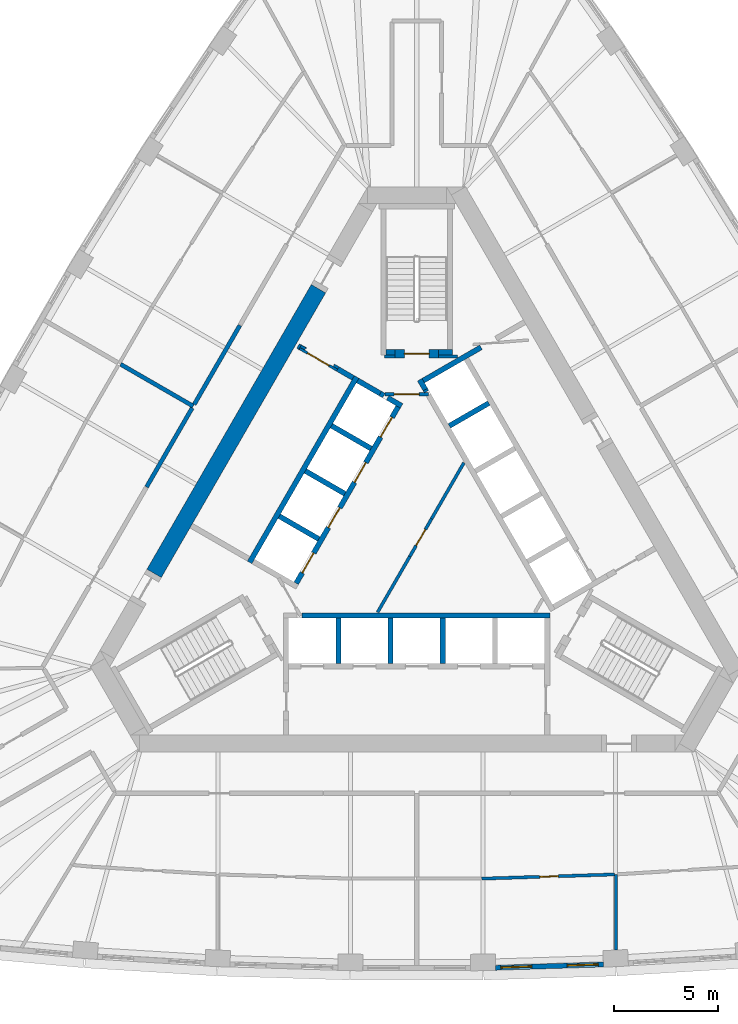
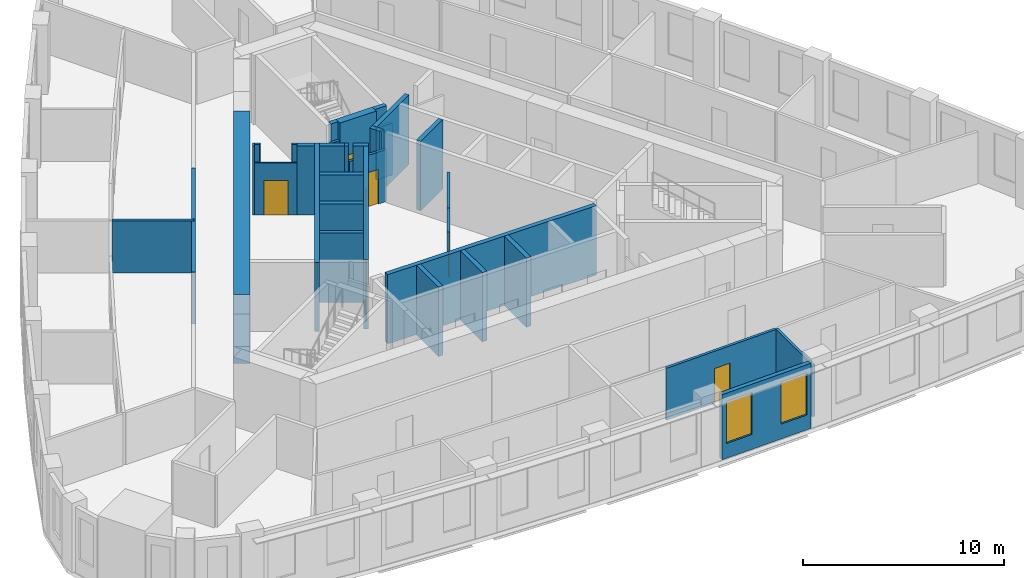
# One storey, part 5 of 10: 37 walls, 9 doors, 2 windows, 11 openings.
"""IFC4 building model written with IfcOpenShell, lengths in metres."""

import ifcopenshell
import ifcopenshell.guid

model = None  # the IFC model being written
_history = None  # IfcOwnerHistory: only IFC2X3 demands one
_inside = {}  # id of a spatial element -> (the spatial element, [elements in it])
_under = {}  # id of a project, library or spatial element -> (it, [spatial elements below it])
_declared = {}  # id of a project -> (the project, [libraries it declares])
_typed = {}  # id of a type object -> (the type object, [elements of that type])
_made_of = {}  # id of a material, layer set ... -> (it, [elements and type objects made of it])


def new_model(schema):
    """Start an empty IFC model of exactly this schema.

    Asked for "IFC4X3", IfcOpenShell would pick the latest addendum, in which some entities
    have other attributes; the version numbers below select the first issue.
    IFC2X3 requires an IfcOwnerHistory on every rooted entity: one is made here for all.
    """
    global model, _history
    if schema == "IFC4X3":
        model = ifcopenshell.file(schema_version=(4, 3, 0, 0))
    else:
        model = ifcopenshell.file(schema=schema)
    _inside.clear()
    _under.clear()
    _declared.clear()
    _typed.clear()
    _made_of.clear()
    _history = None
    if model.schema == "IFC2X3":
        org = make("IfcOrganization", Name="unknown")
        user = make(
            "IfcPersonAndOrganization",
            ThePerson=make("IfcPerson", FamilyName="unknown"),
            TheOrganization=org,
        )
        app = make(
            "IfcApplication",
            ApplicationDeveloper=org,
            Version="unknown",
            ApplicationFullName="unknown",
            ApplicationIdentifier="unknown",
        )
        _history = make(
            "IfcOwnerHistory",
            OwningUser=user,
            OwningApplication=app,
            ChangeAction="ADDED",
            CreationDate=0,
        )
    return model


def make(cls, **values):
    """One entity of the class cls with the attributes given. An attribute that is None is left unset."""
    return model.create_entity(
        cls, **{name: value for name, value in values.items() if value is not None}
    )


def rooted(cls, **values):
    """An entity with a GlobalId (a new one), such as an element, a storey or a relation."""
    return make(cls, GlobalId=ifcopenshell.guid.new(), OwnerHistory=_history, **values)


def si_unit(unit_type, name, prefix=None):
    """IfcSIUnit, for example si_unit("LENGTHUNIT", "METRE", prefix="MILLI")."""
    return make("IfcSIUnit", UnitType=unit_type, Prefix=prefix, Name=name)


def assignment(units):
    """IfcUnitAssignment: the units of a project."""
    return None if units is None else make("IfcUnitAssignment", Units=units)


def point(xyz):
    """IfcCartesianPoint."""
    return None if xyz is None else make("IfcCartesianPoint", Coordinates=xyz)


def direction(xyz):
    """IfcDirection."""
    return None if xyz is None else make("IfcDirection", DirectionRatios=xyz)


def frame(location, z_axis=None, x_axis=None):
    """IfcAxis2Placement3D, a coordinate frame: its origin and axes. An axis left out is left unset."""
    return make(
        "IfcAxis2Placement3D",
        Location=point(location),
        Axis=direction(z_axis),
        RefDirection=direction(x_axis),
    )


def frame_2d(location, x_axis=None):
    """IfcAxis2Placement2D, a coordinate frame in the plane: its origin and x axis."""
    return make(
        "IfcAxis2Placement2D", Location=point(location), RefDirection=direction(x_axis)
    )


def origin():
    """The frame at (0, 0, 0) with its axes left unset."""
    return frame((0.0, 0.0, 0.0))


def place(relative_to, where):
    """IfcLocalPlacement: puts the frame where relative to a parent placement (None: the world)."""
    return make(
        "IfcLocalPlacement", PlacementRelTo=relative_to, RelativePlacement=where
    )


def context(
    kind, dimensions, precision=None, world=None, true_north=None, identifier=None
):
    """IfcGeometricRepresentationContext, for example the 3D "Model" context."""
    return make(
        "IfcGeometricRepresentationContext",
        ContextIdentifier=identifier,
        ContextType=kind,
        CoordinateSpaceDimension=dimensions,
        Precision=precision,
        WorldCoordinateSystem=world,
        TrueNorth=true_north,
    )


def subcontext(parent, identifier, kind, view, scale=None):
    """IfcGeometricRepresentationSubContext, for example "Body" below "Model"."""
    return make(
        "IfcGeometricRepresentationSubContext",
        ContextIdentifier=identifier,
        ContextType=kind,
        ParentContext=parent,
        TargetScale=scale,
        TargetView=view,
    )


def project(units=None, contexts=None):
    """IfcProject with its units and contexts."""
    return rooted(
        "IfcProject",
        Name="project",
        RepresentationContexts=contexts,
        UnitsInContext=assignment(units),
    )


def spatial(cls, under=None, at=None, **own):
    """A site, building, storey or space (cls), placed at a placement, below another one or the project."""
    s = rooted(cls, ObjectPlacement=at, **own)
    if under is not None:
        _under.setdefault(under.id(), (under, []))[1].append(s)
    return s


def polyline(points):
    """IfcPolyline through the points."""
    return make("IfcPolyline", Points=[point(p) for p in points])


def profile(cls, at=None, kind="AREA", **sizes):
    """A parametric profile (cls). Its sizes go by their IFC names, for example OverallWidth=200.0."""
    return make(cls, ProfileType=kind, Position=at, **sizes)


def rectangle(**sizes):
    """IfcRectangleProfileDef."""
    return profile("IfcRectangleProfileDef", **sizes)


def outline(outer, holes=None, kind="AREA"):
    """IfcArbitraryClosedProfileDef: a profile drawn as a closed curve; with holes, ...WithVoids."""
    if holes is None:
        return make("IfcArbitraryClosedProfileDef", ProfileType=kind, OuterCurve=outer)
    return make(
        "IfcArbitraryProfileDefWithVoids",
        ProfileType=kind,
        OuterCurve=outer,
        InnerCurves=holes,
    )


def extrude(swept, where, along, depth):
    """IfcExtrudedAreaSolid: the profile swept, set in the frame where, extruded along a direction by depth."""
    return make(
        "IfcExtrudedAreaSolid",
        SweptArea=swept,
        Position=where,
        ExtrudedDirection=direction(along),
        Depth=depth,
    )


def shape(context_of_items, identifier, shape_type, items):
    """IfcShapeRepresentation: the items that make up one representation, for example the "Body"."""
    return make(
        "IfcShapeRepresentation",
        ContextOfItems=context_of_items,
        RepresentationIdentifier=identifier,
        RepresentationType=shape_type,
        Items=items,
    )


def material(Name=None, Category=None):
    """IfcMaterial."""
    return make("IfcMaterial", Name=Name, Category=Category)


def layer(
    of_material, thickness, ventilated=None, Name=None, Category=None, Priority=None
):
    """IfcMaterialLayer: one layer of a wall or slab, of a material (None: an air gap)."""
    return make(
        "IfcMaterialLayer",
        Material=of_material,
        LayerThickness=thickness,
        IsVentilated=ventilated,
        Name=Name,
        Category=Category,
        Priority=Priority,
    )


def layer_set(layers, Name=None):
    """IfcMaterialLayerSet."""
    return make("IfcMaterialLayerSet", MaterialLayers=layers, LayerSetName=Name)


def made_of(thing, what):
    """Note that an element or type object is made of a material, layer set ...; save() writes the relation."""
    if what is not None:
        _made_of.setdefault(what.id(), (what, []))[1].append(thing)
    return thing


def type_object(cls, material=None, **own):
    """A type object (cls), such as IfcWallType, which elements share."""
    return made_of(rooted(cls, **own), material)


def element(
    cls,
    number,
    at=None,
    inside=None,
    cuts=None,
    type_object=None,
    material=None,
    context=None,
    identifier="Body",
    shape_type=None,
    held_by="IfcProductDefinitionShape",
    body=None,
    shapes=None,
    **own,
):
    """One element of the class cls, such as IfcWall. Its Tag is "e" and its number.

    at: its placement. inside: the storey or other place that contains it. cuts: it is an
    opening in that element (IfcRelVoidsElement). A single representation is given by context,
    identifier, shape_type and body (its items); several are given by shapes. held_by: the class
    of the entity that holds the representations. save() writes the other relations.
    """
    e = rooted(cls, Tag="e%d" % number, ObjectPlacement=at, **own)
    if body is not None:
        shapes = [shape(context, identifier, shape_type, body)]
    if shapes is not None:
        e.Representation = make(held_by, Representations=shapes)
    if inside is not None:
        _inside.setdefault(inside.id(), (inside, []))[1].append(e)
    if cuts is not None:
        rooted(
            "IfcRelVoidsElement", RelatingBuildingElement=cuts, RelatedOpeningElement=e
        )
    if type_object is not None:
        _typed.setdefault(type_object.id(), (type_object, []))[1].append(e)
    return made_of(e, material)


def fill(opening, filler):
    """IfcRelFillsElement: the door or window that sits in an opening."""
    return rooted(
        "IfcRelFillsElement",
        RelatingOpeningElement=opening,
        RelatedBuildingElement=filler,
    )


def aggregate(whole, parts):
    """IfcRelAggregates: a whole, such as a stair, and the parts it consists of."""
    return rooted("IfcRelAggregates", RelatingObject=whole, RelatedObjects=parts)


def save(model, path):
    """Write the relations noted so far, then the file.

    IfcRelAggregates (storeys below a building ...), IfcRelContainedInSpatialStructure (elements
    in a storey), IfcRelDefinesByType, IfcRelAssociatesMaterial and IfcRelDeclares: one each for
    every whole, place, type object, material and project.
    """
    for whole, parts in _under.values():
        aggregate(whole, parts)
    for where, things in _inside.values():
        rooted(
            "IfcRelContainedInSpatialStructure",
            RelatedElements=things,
            RelatingStructure=where,
        )
    for kind, things in _typed.values():
        rooted("IfcRelDefinesByType", RelatedObjects=things, RelatingType=kind)
    for what, things in _made_of.values():
        rooted("IfcRelAssociatesMaterial", RelatedObjects=things, RelatingMaterial=what)
    for by, libraries in _declared.values():
        rooted("IfcRelDeclares", RelatingContext=by, RelatedDefinitions=libraries)
    model.write(path)


model = new_model("IFC4")

# Units and contexts
model_context = context("Model", 3, precision=1e-05, world=origin(), true_north=direction((0.0, 1.0)))
body_context = subcontext(model_context, "Body", "Model", "MODEL_VIEW")
ifc_project = project(units=[si_unit("LENGTHUNIT", "METRE"), si_unit("AREAUNIT", "SQUARE_METRE"), si_unit("VOLUMEUNIT", "CUBIC_METRE"), si_unit("PLANEANGLEUNIT", "RADIAN"), si_unit("MASSUNIT", "GRAM", prefix="KILO")], contexts=[model_context])

# Site, building, storey
site_placement = place(None, origin())
site = spatial("IfcSite", under=ifc_project, at=site_placement, CompositionType="ELEMENT")
building_placement = place(site_placement, origin())
building = spatial("IfcBuilding", under=site, at=building_placement, Name="Mestral Congress Tower", CompositionType="ELEMENT")
storey_placement = place(building_placement, frame((0.0, 0.0, 158.39990234375)))
storey = spatial("IfcBuildingStorey", under=building, at=storey_placement, Name="L37", CompositionType="ELEMENT", Elevation=158.39990234375)

# Walls
ifc_material_1 = material(Name="Fire-rated board partition")
ifc_layer_1 = layer(ifc_material_1, 0.14990234375)
ifc_layer_set_1 = layer_set([ifc_layer_1], Name="Fire-rated board partition")
wall_type_1 = type_object("IfcWallType", Name="Core partition 150", PredefinedType="PARTITIONING", material=ifc_layer_set_1)
wall_1_placement = place(storey_placement, frame((1.050048828125, 8.62548828125, 0.0), z_axis=(0.0, 0.0, 1.0), x_axis=(1.0, 0.0, 0.0)))
element("IfcWall", 1, at=wall_1_placement, inside=storey, type_object=wall_type_1, Name="L37 core wall", PredefinedType="PARTITIONING", context=body_context, shape_type="SweptSolid", body=[
    extrude(rectangle(XDim=0.9287109375, YDim=0.14990234375, at=frame_2d((0.46435546875, 0.0))), origin(), (0.0, 0.0, 1.0), 3.150146484375),
])
wall_2_placement = place(storey_placement, frame((-1.56396484375, 8.62548828125, 0.0), z_axis=(0.0, 0.0, 1.0), x_axis=(1.0, 0.0, 0.0)))
element("IfcWall", 2, at=wall_2_placement, inside=storey, type_object=wall_type_1, Name="L37 core wall", PredefinedType="PARTITIONING", context=body_context, shape_type="SweptSolid", body=[
    extrude(rectangle(XDim=0.513916015625, YDim=0.14990234375, at=frame_2d((0.2568359375, 0.0))), origin(), (0.0, 0.0, 1.0), 3.150146484375),
])
wall_3_placement = place(storey_placement, frame((-1.886962890625, -3.71826171875, 0.0), z_axis=(0.0, 0.0, 1.0), x_axis=(0.500043732237, 0.866000153493, 0.0)))
element("IfcWall", 3, at=wall_3_placement, inside=storey, type_object=wall_type_1, Name="L37 core wall", PredefinedType="PARTITIONING", context=body_context, shape_type="SweptSolid", body=[
    extrude(rectangle(XDim=3.113525390625, YDim=0.14990234375, at=frame_2d((1.556640625, 0.0))), origin(), (0.0, 0.0, 1.0), 3.150146484375),
])
wall_4_placement = place(storey_placement, frame((0.719970703125, 0.796875, 0.0), z_axis=(0.0, 0.0, 1.0), x_axis=(0.499984921984, 0.866034108906, 0.0)))
element("IfcWall", 4, at=wall_4_placement, inside=storey, type_object=wall_type_1, Name="L37 core wall", PredefinedType="PARTITIONING", context=body_context, shape_type="SweptSolid", body=[
    extrude(rectangle(XDim=3.11328125, YDim=0.14990234375, at=frame_2d((1.556640625, 0.0))), origin(), (0.0, 0.0, 1.0), 3.150146484375),
])

# Wall, opening, door
wall_5_placement = place(storey_placement, frame((-0.330078125, -1.021728515625, 0.0), z_axis=(0.0, 0.0, 1.0), x_axis=(0.500027713859, 0.866009402589, 0.0)))
wall_5 = element("IfcWall", 5, at=wall_5_placement, inside=storey, type_object=wall_type_1, Name="L37 door wall", PredefinedType="PARTITIONING", context=body_context, shape_type="SweptSolid", body=[
    extrude(rectangle(XDim=2.10009765625, YDim=0.14990234375, at=frame_2d((1.050048828125, 0.0))), origin(), (0.0, 0.0, 1.0), 3.150146484375),
])
opening_1_placement = place(wall_5_placement, frame((0.60009765625, 0.0, 0.0)))
opening_1 = element("IfcOpeningElement", 6, at=opening_1_placement, cuts=wall_5, Name="Opening CD1-HUB0", PredefinedType="OPENING", context=body_context, shape_type="SweptSolid", body=[
    extrude(rectangle(XDim=0.89990234375, YDim=2.10009765625, at=frame_2d((0.449951171875, 1.050048828125))), frame((0.0, 0.0849609375, 0.0), z_axis=(0.0, -1.0, 0.0), x_axis=(1.0, 0.0, 0.0)), (0.0, 0.0, 1.0), 0.169921875),
])
ifc_material_2 = material(Name="Fire-rated steel door set", Category="steel")
door_type_1 = type_object("IfcDoorType", Name="Core door CD 900x2100", OperationType="SINGLE_SWING_LEFT", PredefinedType="DOOR", material=ifc_material_2)
door_1_placement = place(opening_1_placement, origin())
door_1 = element("IfcDoor", 7, at=door_1_placement, inside=storey, type_object=door_type_1, Name="Door CD1-HUB0", OperationType="SINGLE_SWING_LEFT", OverallHeight=2.10009765625, OverallWidth=0.89990234375, PredefinedType="DOOR", context=body_context, shape_type="SweptSolid", body=[
    extrude(rectangle(XDim=0.89990234375, YDim=2.10009765625, at=frame_2d((0.449951171875, 1.050048828125))), frame((0.0, 0.02490234375, 0.0), z_axis=(0.0, -1.0, 0.0), x_axis=(1.0, 0.0, 0.0)), (0.0, 0.0, 1.0), 0.050048828125),
])
fill(opening_1, door_1)

wall_6_placement = place(storey_placement, frame((-1.534423828125, 6.800048828125, 0.0), z_axis=(0.0, 0.0, 1.0), x_axis=(1.0, 0.0, 0.0)))
wall_6 = element("IfcWall", 8, at=wall_6_placement, inside=storey, type_object=wall_type_1, Name="L37 door wall", PredefinedType="PARTITIONING", context=body_context, shape_type="SweptSolid", body=[
    extrude(rectangle(XDim=2.099853515625, YDim=0.14990234375, at=frame_2d((1.0498046875, 0.0))), origin(), (0.0, 0.0, 1.0), 3.150146484375),
])
opening_2_placement = place(wall_6_placement, frame((0.449951171875, 0.0, 0.0)))
opening_2 = element("IfcOpeningElement", 9, at=opening_2_placement, cuts=wall_6, Name="Opening CD2-FF", PredefinedType="OPENING", context=body_context, shape_type="SweptSolid", body=[
    extrude(rectangle(XDim=1.199951171875, YDim=2.10009765625, at=frame_2d((0.60009765625, 1.050048828125))), frame((0.0, 0.0849609375, 0.0), z_axis=(0.0, -1.0, 0.0), x_axis=(1.0, 0.0, 0.0)), (0.0, 0.0, 1.0), 0.169921875),
])
door_type_2 = type_object("IfcDoorType", Name="Core door CD 1200x2100", OperationType="SINGLE_SWING_LEFT", PredefinedType="DOOR", material=ifc_material_2)
door_2_placement = place(opening_2_placement, origin())
door_2 = element("IfcDoor", 10, at=door_2_placement, inside=storey, type_object=door_type_2, Name="Door CD2-FF", OperationType="SINGLE_SWING_LEFT", OverallHeight=2.10009765625, OverallWidth=1.199951171875, PredefinedType="DOOR", context=body_context, shape_type="SweptSolid", body=[
    extrude(rectangle(XDim=1.199951171875, YDim=2.10009765625, at=frame_2d((0.60009765625, 1.050048828125))), frame((0.0, 0.02490234375, 0.0), z_axis=(0.0, -1.0, 0.0), x_axis=(1.0, 0.0, 0.0)), (0.0, 0.0, 1.0), 0.050048828125),
])
fill(opening_2, door_2)

ifc_layer_2 = layer(ifc_material_1, 0.1201171875)
ifc_layer_set_2 = layer_set([ifc_layer_2], Name="Fire-rated board partition")
wall_type_2 = type_object("IfcWallType", Name="Core partition 150 door-wall 120", PredefinedType="PARTITIONING", material=ifc_layer_set_2)
wall_7_placement = place(storey_placement, frame((-5.65869140625, 9.01171875, 0.0), z_axis=(0.0, 0.0, 1.0), x_axis=(0.866009402589, -0.500027713859, 0.0)))
wall_7 = element("IfcWall", 11, at=wall_7_placement, inside=storey, type_object=wall_type_2, Name="L37 door wall", PredefinedType="PARTITIONING", context=body_context, shape_type="SweptSolid", body=[
    extrude(rectangle(XDim=2.10009765625, YDim=0.1201171875, at=frame_2d((1.050048828125, 0.0))), origin(), (0.0, 0.0, 1.0), 3.150146484375),
])
opening_3_placement = place(wall_7_placement, frame((0.449951171875, 0.0, 0.0)))
opening_3 = element("IfcOpeningElement", 12, at=opening_3_placement, cuts=wall_7, Name="Opening LB2-WL2", PredefinedType="OPENING", context=body_context, shape_type="SweptSolid", body=[
    extrude(rectangle(XDim=1.199951171875, YDim=2.10009765625, at=frame_2d((0.60009765625, 1.050048828125))), frame((0.0, 0.070068359375, 0.0), z_axis=(0.0, -1.0, 0.0), x_axis=(1.0, 0.0, 0.0)), (0.0, 0.0, 1.0), 0.14013671875),
])
door_type_3 = type_object("IfcDoorType", Name="Core door LB 1200x2100", OperationType="SINGLE_SWING_LEFT", PredefinedType="DOOR", material=ifc_material_2)
door_3_placement = place(opening_3_placement, origin())
door_3 = element("IfcDoor", 13, at=door_3_placement, inside=storey, type_object=door_type_3, Name="Door LB2-WL2", OperationType="SINGLE_SWING_LEFT", OverallHeight=2.10009765625, OverallWidth=1.199951171875, PredefinedType="DOOR", context=body_context, shape_type="SweptSolid", body=[
    extrude(rectangle(XDim=1.199951171875, YDim=2.10009765625, at=frame_2d((0.60009765625, 1.050048828125))), frame((0.0, 0.02490234375, 0.0), z_axis=(0.0, -1.0, 0.0), x_axis=(1.0, 0.0, 0.0)), (0.0, 0.0, 1.0), 0.050048828125),
])
fill(opening_3, door_3)

# Wall
ifc_material_3 = material(Name="Concrete C60/75", Category="concrete")
ifc_layer_3 = layer(ifc_material_3, 0.800048828125)
ifc_layer_set_3 = layer_set([ifc_layer_3], Name="Concrete C60/75")
wall_type_3 = type_object("IfcWallType", Name="Core wall RC 800", PredefinedType="SOLIDWALL", material=ifc_layer_set_3)
wall_8_placement = place(storey_placement, frame((-12.668212890625, -1.841796875, 0.0), z_axis=(0.0, 0.0, 1.0), x_axis=(0.500003640647, 0.866023301845, 0.0)))
element("IfcWall", 14, at=wall_8_placement, inside=storey, type_object=wall_type_3, Name="L37 core wall", PredefinedType="SOLIDWALL", context=body_context, shape_type="SweptSolid", body=[
    extrude(rectangle(XDim=15.8583984375, YDim=0.800048828125, at=frame_2d((7.92919921875, 0.0))), origin(), (0.0, 0.0, 1.0), 4.2001953125),
])

# Wall, openings, windows
ifc_material_4 = material(Name="Precast concrete C40/50 with limestone facing", Category="masonry")
ifc_layer_4 = layer(ifc_material_4, 0.239990234375)
ifc_layer_set_4 = layer_set([ifc_layer_4], Name="Precast concrete C40/50 with limestone facing")
wall_type_4 = type_object("IfcWallType", Name="Facade stone wall 240", PredefinedType="SOLIDWALL", material=ifc_layer_set_4)
wall_9_placement = place(storey_placement, frame((3.80615234375, -20.869873046875, 0.0), z_axis=(0.0, 0.0, 1.0), x_axis=(0.999533441983, 0.030543384845, 0.0)))
wall_9 = element("IfcWall", 15, at=wall_9_placement, inside=storey, type_object=wall_type_4, Name="Facade wall F0-04", PredefinedType="SOLIDWALL", context=body_context, shape_type="SweptSolid", body=[
    extrude(rectangle(XDim=5.20361328125, YDim=0.239990234375, at=frame_2d((2.601806640625, 0.0))), origin(), (0.0, 0.0, 1.0), 3.9501953125),
])
opening_4_placement = place(wall_9_placement, frame((0.248291015625, 0.0, 0.89990234375)))
opening_4 = element("IfcOpeningElement", 16, at=opening_4_placement, cuts=wall_9, Name="Opening W4", PredefinedType="OPENING", context=body_context, shape_type="SweptSolid", body=[
    extrude(rectangle(XDim=1.5, YDim=2.550048828125, at=frame_2d((0.75, 1.27490234375))), frame((0.0, 0.1298828125, 0.0), z_axis=(0.0, -1.0, 0.0), x_axis=(1.0, 0.0, 0.0)), (0.0, 0.0, 1.0), 0.260009765625),
])
opening_5_placement = place(wall_9_placement, frame((3.455078125, 0.0, 0.89990234375)))
opening_5 = element("IfcOpeningElement", 17, at=opening_5_placement, cuts=wall_9, Name="Opening W4", PredefinedType="OPENING", context=body_context, shape_type="SweptSolid", body=[
    extrude(rectangle(XDim=1.5, YDim=2.550048828125, at=frame_2d((0.75, 1.27490234375))), frame((0.0, 0.1298828125, 0.0), z_axis=(0.0, -1.0, 0.0), x_axis=(1.0, 0.0, 0.0)), (0.0, 0.0, 1.0), 0.260009765625),
])
ifc_material_5 = material(Name="Clear low-emissivity double glazing", Category="glass")
window_type = type_object("IfcWindowType", Name="Facade punched window 1500 x 2550 sill 900", PartitioningType="SINGLE_PANEL", PredefinedType="WINDOW", material=ifc_material_5)
window_1_placement = place(opening_4_placement, origin())
window_1 = element("IfcWindow", 18, at=window_1_placement, inside=storey, type_object=window_type, Name="Window F0-04a", OverallHeight=2.550048828125, OverallWidth=1.5, PartitioningType="SINGLE_PANEL", PredefinedType="WINDOW", context=body_context, shape_type="SweptSolid", body=[
    extrude(rectangle(XDim=1.5, YDim=2.550048828125, at=frame_2d((0.75, 1.27490234375))), frame((0.0, 0.0400390625, 0.0), z_axis=(0.0, -1.0, 0.0), x_axis=(1.0, 0.0, 0.0)), (0.0, 0.0, 1.0), 0.06005859375),
])
fill(opening_4, window_1)
window_2_placement = place(opening_5_placement, origin())
window_2 = element("IfcWindow", 19, at=window_2_placement, inside=storey, type_object=window_type, Name="Window F0-04b", OverallHeight=2.550048828125, OverallWidth=1.5, PartitioningType="SINGLE_PANEL", PredefinedType="WINDOW", context=body_context, shape_type="SweptSolid", body=[
    extrude(rectangle(XDim=1.5, YDim=2.550048828125, at=frame_2d((0.75, 1.27490234375))), frame((0.0, 0.0400390625, 0.0), z_axis=(0.0, -1.0, 0.0), x_axis=(1.0, 0.0, 0.0)), (0.0, 0.0, 1.0), 0.06005859375),
])
fill(opening_5, window_2)

# Wall
ifc_material_6 = material(Name="Plasterboard partition on steel studs", Category="steel")
ifc_layer_5 = layer(ifc_material_6, 0.14990234375)
ifc_layer_set_5 = layer_set([ifc_layer_5], Name="Plasterboard partition on steel studs")
wall_type_5 = type_object("IfcWallType", Name="Office partition 150", PredefinedType="PARTITIONING", material=ifc_layer_set_5)
wall_10_placement = place(storey_placement, frame((9.6171875, -16.364013671875, 0.0), z_axis=(0.0, 0.0, 1.0), x_axis=(0.0, -1.0, 0.0)))
element("IfcWall", 20, at=wall_10_placement, inside=storey, type_object=wall_type_5, Name="Partition", PredefinedType="PARTITIONING", context=body_context, shape_type="SweptSolid", body=[
    extrude(rectangle(XDim=3.6474609375, YDim=0.14990234375, at=frame_2d((1.82373046875, 0.0))), origin(), (0.0, 0.0, 1.0), 3.150146484375),
])

# Wall, opening, door
wall_11_placement = place(storey_placement, frame((9.542236328125, -16.366455078125, 0.0), z_axis=(0.0, 0.0, 1.0), x_axis=(-0.999504575396, -0.031473858384, 0.0)))
wall_11 = element("IfcWall", 21, at=wall_11_placement, inside=storey, type_object=wall_type_5, Name="Partition", PredefinedType="PARTITIONING", context=body_context, shape_type="SweptSolid", body=[
    extrude(rectangle(XDim=6.4072265625, YDim=0.14990234375, at=frame_2d((3.20361328125, 0.0))), origin(), (0.0, 0.0, 1.0), 3.150146484375),
])
opening_6_placement = place(wall_11_placement, frame((2.707275390625, 0.0, 0.0)))
opening_6 = element("IfcOpeningElement", 22, at=opening_6_placement, cuts=wall_11, Name="Opening O02-001", PredefinedType="OPENING", context=body_context, shape_type="SweptSolid", body=[
    extrude(rectangle(XDim=0.89990234375, YDim=2.10009765625, at=frame_2d((0.449951171875, 1.050048828125))), frame((0.0, 0.0849609375, 0.0), z_axis=(0.0, -1.0, 0.0), x_axis=(1.0, 0.0, 0.0)), (0.0, 0.0, 1.0), 0.169921875),
])
ifc_material_7 = material(Name="Timber door set", Category="wood")
door_type_4 = type_object("IfcDoorType", Name="Office door 900x2100", OperationType="SINGLE_SWING_LEFT", PredefinedType="DOOR", material=ifc_material_7)
door_4_placement = place(opening_6_placement, origin())
door_4 = element("IfcDoor", 23, at=door_4_placement, inside=storey, type_object=door_type_4, Name="Door O02-001", OperationType="SINGLE_SWING_LEFT", OverallHeight=2.10009765625, OverallWidth=0.89990234375, PredefinedType="DOOR", context=body_context, shape_type="SweptSolid", body=[
    extrude(rectangle(XDim=0.89990234375, YDim=2.10009765625, at=frame_2d((0.449951171875, 1.050048828125))), frame((0.0, 0.02490234375, 0.0), z_axis=(0.0, -1.0, 0.0), x_axis=(1.0, 0.0, 0.0)), (0.0, 0.0, 1.0), 0.050048828125),
])
fill(opening_6, door_4)

# Walls
ifc_material_8 = material(Name="Dense masonry wall, plastered", Category="masonry")
ifc_layer_6 = layer(ifc_material_8, 0.199951171875)
ifc_layer_set_6 = layer_set([ifc_layer_6], Name="Dense masonry wall, plastered")
wall_type_6 = type_object("IfcWallType", Name="Office tenancy wall 200", PredefinedType="PARTITIONING", material=ifc_layer_set_6)
wall_12_placement = place(storey_placement, frame((-10.781982421875, 6.22509765625, 0.0), z_axis=(0.0, 0.0, 1.0), x_axis=(-0.866034752867, 0.499983806564, 0.0)))
element("IfcWall", 24, at=wall_12_placement, inside=storey, type_object=wall_type_6, Name="Tenancy wall", PredefinedType="PARTITIONING", context=body_context, shape_type="SweptSolid", body=[
    extrude(rectangle(XDim=4.043212890625, YDim=0.199951171875, at=frame_2d((2.021484375, 0.0))), origin(), (0.0, 0.0, 1.0), 3.150146484375),
])
for number, where, z_axis, x_axis, name in (
    (25, (-8.531982421875, 10.1220703125, 0.0), (0.0, 0.0, 1.0), (-0.499988222896, -0.866032203192, 0.0), "Tenancy wall"),
    (26, (-10.83203125, 6.138427734375, 0.0), (0.0, 0.0, 1.0), (-0.499988222896, -0.866032203192, 0.0), "Tenancy wall"),
):
    element("IfcWall", number, at=place(storey_placement, frame(where, z_axis=z_axis, x_axis=x_axis)), inside=storey, type_object=wall_type_6, Name=name, PredefinedType="PARTITIONING", context=body_context, shape_type="SweptSolid", body=[
        extrude(rectangle(XDim=4.39990234375, YDim=0.199951171875, at=frame_2d((2.199951171875, 0.0))), origin(), (0.0, 0.0, 1.0), 3.150146484375),
    ])
ifc_layer_7 = layer(ifc_material_3, 0.25)
ifc_layer_set_7 = layer_set([ifc_layer_7], Name="Concrete C60/75")
wall_type_7 = type_object("IfcWallType", Name="Shaft wall RC 250", PredefinedType="SOLIDWALL", material=ifc_layer_set_7)
wall_13_placement = place(storey_placement, frame((-5.544921875, -3.875, 0.0), z_axis=(0.0, 0.0, 1.0), x_axis=(1.0, 0.0, 0.0)))
element("IfcWall", 27, at=wall_13_placement, inside=storey, type_object=wall_type_7, Name="L37 core wall", PredefinedType="SOLIDWALL", context=body_context, shape_type="SweptSolid", body=[
    extrude(rectangle(XDim=11.969970703125, YDim=0.25, at=frame_2d((5.98486328125, 0.0))), origin(), (0.0, 0.0, 1.0), 4.2001953125),
])
for number, where, z_axis, x_axis, name in (
    (28, (1.260009765625, -4.0, 0.0), (0.0, 0.0, 1.0), (0.0, -1.0, 0.0), "L37 core wall"),
    (29, (-1.260009765625, -4.0, 0.0), (0.0, 0.0, 1.0), (0.0, -1.0, 0.0), "L37 core wall"),
    (30, (-3.780029296875, -4.0, 0.0), (0.0, 0.0, 1.0), (0.0, -1.0, 0.0), "L37 core wall"),
):
    element("IfcWall", number, at=place(storey_placement, frame(where, z_axis=z_axis, x_axis=x_axis)), inside=storey, type_object=wall_type_7, Name=name, PredefinedType="SOLIDWALL", context=body_context, shape_type="SweptSolid", body=[
        extrude(rectangle(XDim=2.199951171875, YDim=0.25, at=frame_2d((1.10009765625, 0.0))), origin(), (0.0, 0.0, 1.0), 4.2001953125),
    ])
wall_14_placement = place(storey_placement, frame((0.473388671875, 6.93017578125, 0.0), z_axis=(0.0, 0.0, 1.0), x_axis=(-0.49972245349, 0.866185586049, 0.0)))
element("IfcWall", 31, at=wall_14_placement, inside=storey, type_object=wall_type_7, Name="L37 core wall", PredefinedType="SOLIDWALL", context=body_context, shape_type="SweptSolid", body=[
    extrude(rectangle(XDim=0.10986328125, YDim=0.25, at=frame_2d((0.054931640625, 0.0))), origin(), (0.0, 0.0, 1.0), 4.2001953125),
])
wall_15_placement = place(storey_placement, frame((0.41748046875, 7.027099609375, 0.0), z_axis=(0.0, 0.0, 1.0), x_axis=(-0.500210807569, 0.865903659763, 0.0)))
element("IfcWall", 32, at=wall_15_placement, inside=storey, type_object=wall_type_7, Name="L37 core wall", PredefinedType="SOLIDWALL", context=body_context, shape_type="SweptSolid", body=[
    extrude(rectangle(XDim=0.548095703125, YDim=0.25, at=frame_2d((0.27392578125, 0.0))), origin(), (0.0, 0.0, 1.0), 4.2001953125),
])
wall_16_placement = place(storey_placement, frame((3.10009765625, 9.064453125, 0.0), z_axis=(0.0, 0.0, 1.0), x_axis=(-0.866030133475, -0.499991807846, 0.0)))
element("IfcWall", 33, at=wall_16_placement, inside=storey, type_object=wall_type_7, Name="L37 core wall", PredefinedType="SOLIDWALL", context=body_context, shape_type="SweptSolid", body=[
    extrude(rectangle(XDim=3.216796875, YDim=0.25, at=frame_2d((1.6083984375, 0.0))), origin(), (0.0, 0.0, 1.0), 4.2001953125),
])
wall_17_placement = place(storey_placement, frame((1.57421875, 5.273681640625, 0.0), z_axis=(0.0, 0.0, 1.0), x_axis=(0.866028486751, 0.499994660107, 0.0)))
element("IfcWall", 34, at=wall_17_placement, inside=storey, type_object=wall_type_7, Name="L37 core wall", PredefinedType="SOLIDWALL", context=body_context, shape_type="SweptSolid", body=[
    extrude(rectangle(XDim=2.19970703125, YDim=0.25, at=frame_2d((1.099853515625, 0.0))), origin(), (0.0, 0.0, 1.0), 4.2001953125),
])
wall_18_placement = place(storey_placement, frame((-8.06005859375, -1.310546875, 0.0), z_axis=(0.0, 0.0, 1.0), x_axis=(0.50000273126, 0.866023826885, 0.0)))
element("IfcWall", 35, at=wall_18_placement, inside=storey, type_object=wall_type_7, Name="L37 core wall", PredefinedType="SOLIDWALL", context=body_context, shape_type="SweptSolid", body=[
    extrude(rectangle(XDim=10.330078125, YDim=0.25, at=frame_2d((5.1650390625, 0.0))), origin(), (0.0, 0.0, 1.0), 4.2001953125),
])
wall_19_placement = place(storey_placement, frame((-1.75830078125, 6.834716796875, 0.0), z_axis=(0.0, 0.0, 1.0), x_axis=(0.865982457891, -0.500074377092, 0.0)))
element("IfcWall", 36, at=wall_19_placement, inside=storey, type_object=wall_type_7, Name="L37 core wall", PredefinedType="SOLIDWALL", context=body_context, shape_type="SweptSolid", body=[
    extrude(rectangle(XDim=0.2001953125, YDim=0.25, at=frame_2d((0.10009765625, 0.0))), origin(), (0.0, 0.0, 1.0), 4.2001953125),
])
wall_20_placement = place(storey_placement, frame((-1.760009765625, 6.835693359375, 0.0), z_axis=(0.0, 0.0, 1.0), x_axis=(-0.865952863304, 0.500125622755, 0.0)))
element("IfcWall", 37, at=wall_20_placement, inside=storey, type_object=wall_type_7, Name="L37 core wall", PredefinedType="SOLIDWALL", context=body_context, shape_type="SweptSolid", body=[
    extrude(rectangle(XDim=1.258056640625, YDim=0.25, at=frame_2d((0.62890625, 0.0))), origin(), (0.0, 0.0, 1.0), 4.2001953125),
])
wall_21_placement = place(storey_placement, frame((-0.7275390625, 6.23974609375, 0.0), z_axis=(0.0, 0.0, 1.0), x_axis=(-0.865955664968, 0.500120771724, 0.0)))
element("IfcWall", 38, at=wall_21_placement, inside=storey, type_object=wall_type_7, Name="L37 core wall", PredefinedType="SOLIDWALL", context=body_context, shape_type="SweptSolid", body=[
    extrude(rectangle(XDim=0.778076171875, YDim=0.25, at=frame_2d((0.38916015625, 0.0))), origin(), (0.0, 0.0, 1.0), 4.2001953125),
])
for number, where, z_axis, x_axis, name in (
    (39, (-2.2041015625, 4.182373046875, 0.0), (0.0, 0.0, 1.0), (-0.866008176907, 0.50002983664, 0.0), "L37 core wall"),
    (40, (-5.369384765625, 3.10009765625, 0.0), (0.0, 0.0, 1.0), (0.866008176907, -0.50002983664, 0.0), "L37 core wall"),
    (41, (-4.72412109375, -0.182373046875, 0.0), (0.0, 0.0, 1.0), (-0.866008176907, 0.50002983664, 0.0), "L37 core wall"),
):
    element("IfcWall", number, at=place(storey_placement, frame(where, z_axis=z_axis, x_axis=x_axis)), inside=storey, type_object=wall_type_7, Name=name, PredefinedType="SOLIDWALL", context=body_context, shape_type="SweptSolid", body=[
        extrude(rectangle(XDim=2.199951171875, YDim=0.25, at=frame_2d((1.10009765625, 0.0))), origin(), (0.0, 0.0, 1.0), 4.2001953125),
    ])
wall_22_placement = place(storey_placement, frame((-5.724609375, 9.124755859375, 0.0), z_axis=(0.0, 0.0, 1.0), x_axis=(0.866185586049, -0.49972245349, 0.0)))
element("IfcWall", 42, at=wall_22_placement, inside=storey, type_object=wall_type_7, Name="L37 core wall", PredefinedType="SOLIDWALL", context=body_context, shape_type="SweptSolid", body=[
    extrude(rectangle(XDim=0.10986328125, YDim=0.25, at=frame_2d((0.054931640625, 0.0))), origin(), (0.0, 0.0, 1.0), 4.2001953125),
])
wall_23_placement = place(storey_placement, frame((-3.06591796875, 7.58984375, 0.0), z_axis=(0.0, 0.0, 1.0), x_axis=(-0.866081358704, 0.49990307071, 0.0)))
element("IfcWall", 43, at=wall_23_placement, inside=storey, type_object=wall_type_7, Name="L37 core wall", PredefinedType="SOLIDWALL", context=body_context, shape_type="SweptSolid", body=[
    extrude(rectangle(XDim=0.858154296875, YDim=0.25, at=frame_2d((0.42919921875, 0.0))), origin(), (0.0, 0.0, 1.0), 4.2001953125),
])
placement = place(storey_placement, origin())
element("IfcWall", 44, at=placement, inside=storey, type_object=wall_type_7, Name="L37 core wall", PredefinedType="SOLIDWALL", context=body_context, shape_type="SweptSolid", body=[
    extrude(outline(polyline([(-3.748291015625, 8.1279296875), (-3.813232421875, 8.015380859375), (-4.026611328125, 8.138671875), (-4.0166015625, 8.156005859375), (-4.007568359375, 8.17333984375), (-4.000244140625, 8.191650390625), (-3.994873046875, 8.21044921875), (-3.991455078125, 8.229736328125), (-3.98974609375, 8.24951171875), (-3.989990234375, 8.267578125), (-3.748291015625, 8.1279296875)])), origin(), (0.0, 0.0, 1.0), 4.2001953125),
])
element("IfcWall", 45, at=placement, inside=storey, type_object=wall_type_7, Name="L37 core wall", PredefinedType="SOLIDWALL", context=body_context, shape_type="SweptSolid", body=[
    extrude(outline(polyline([(-5.688720703125, 8.959716796875), (-5.690185546875, 8.960693359375), (-5.565185546875, 9.177001953125), (-5.318603515625, 9.03466796875), (-5.334716796875, 9.02587890625), (-5.3505859375, 9.0146484375), (-5.36572265625, 9.001953125), (-5.37939453125, 8.98779296875), (-5.3916015625, 8.972412109375), (-5.402099609375, 8.955810546875), (-5.412109375, 8.938720703125), (-5.628662109375, 9.063720703125), (-5.628662109375, 9.063720703125), (-5.688720703125, 8.959716796875)])), origin(), (0.0, 0.0, 1.0), 4.2001953125),
])

# Wall, openings, doors
wall_26_placement = place(storey_placement, frame((-0.898193359375, 6.194091796875, 0.0), z_axis=(0.0, 0.0, 1.0), x_axis=(-0.499996202215, -0.866027596426, 0.0)))
wall_26 = element("IfcWall", 46, at=wall_26_placement, inside=storey, type_object=wall_type_7, Name="L37 door wall", PredefinedType="SOLIDWALL", context=body_context, shape_type="SweptSolid", body=[
    extrude(rectangle(XDim=9.830078125, YDim=0.25, at=frame_2d((4.9150390625, 0.0))), origin(), (0.0, 0.0, 1.0), 4.2001953125),
])
opening_7_placement = place(wall_26_placement, frame((0.5849609375, 0.0, 0.0)))
opening_7 = element("IfcOpeningElement", 47, at=opening_7_placement, cuts=wall_26, Name="Opening LD-NWB1", PredefinedType="OPENING", context=body_context, shape_type="SweptSolid", body=[
    extrude(rectangle(XDim=1.10009765625, YDim=2.10009765625, at=frame_2d((0.550048828125, 1.050048828125))), frame((0.0, 0.135009765625, 0.0), z_axis=(0.0, -1.0, 0.0), x_axis=(1.0, 0.0, 0.0)), (0.0, 0.0, 1.0), 0.27001953125),
])
opening_8_placement = place(wall_26_placement, frame((3.10498046875, 0.0, 0.0)))
opening_8 = element("IfcOpeningElement", 48, at=opening_8_placement, cuts=wall_26, Name="Opening LD-NWB2", PredefinedType="OPENING", context=body_context, shape_type="SweptSolid", body=[
    extrude(rectangle(XDim=1.10009765625, YDim=2.10009765625, at=frame_2d((0.550048828125, 1.050048828125))), frame((0.0, 0.135009765625, 0.0), z_axis=(0.0, -1.0, 0.0), x_axis=(1.0, 0.0, 0.0)), (0.0, 0.0, 1.0), 0.27001953125),
])
opening_9_placement = place(wall_26_placement, frame((5.625, 0.0, 0.0)))
opening_9 = element("IfcOpeningElement", 49, at=opening_9_placement, cuts=wall_26, Name="Opening LD-NWB3", PredefinedType="OPENING", context=body_context, shape_type="SweptSolid", body=[
    extrude(rectangle(XDim=1.10009765625, YDim=2.10009765625, at=frame_2d((0.550048828125, 1.050048828125))), frame((0.0, 0.135009765625, 0.0), z_axis=(0.0, -1.0, 0.0), x_axis=(1.0, 0.0, 0.0)), (0.0, 0.0, 1.0), 0.27001953125),
])
opening_10_placement = place(wall_26_placement, frame((8.14501953125, 0.0, 0.0)))
opening_10 = element("IfcOpeningElement", 50, at=opening_10_placement, cuts=wall_26, Name="Opening LD-NWB4", PredefinedType="OPENING", context=body_context, shape_type="SweptSolid", body=[
    extrude(rectangle(XDim=1.10009765625, YDim=2.10009765625, at=frame_2d((0.550048828125, 1.050048828125))), frame((0.0, 0.135009765625, 0.0), z_axis=(0.0, -1.0, 0.0), x_axis=(1.0, 0.0, 0.0)), (0.0, 0.0, 1.0), 0.27001953125),
])
door_type_5 = type_object("IfcDoorType", Name="Core door LD 1100x2100", OperationType="DOUBLE_DOOR_SLIDING", PredefinedType="DOOR", material=ifc_material_2)
door_5_placement = place(opening_7_placement, origin())
door_5 = element("IfcDoor", 51, at=door_5_placement, inside=storey, type_object=door_type_5, Name="Door LD-NWB1", OperationType="DOUBLE_DOOR_SLIDING", OverallHeight=2.10009765625, OverallWidth=1.10009765625, PredefinedType="DOOR", context=body_context, shape_type="SweptSolid", body=[
    extrude(rectangle(XDim=1.10009765625, YDim=2.10009765625, at=frame_2d((0.550048828125, 1.050048828125))), frame((0.0, 0.02490234375, 0.0), z_axis=(0.0, -1.0, 0.0), x_axis=(1.0, 0.0, 0.0)), (0.0, 0.0, 1.0), 0.050048828125),
])
fill(opening_7, door_5)
door_6_placement = place(opening_8_placement, origin())
door_6 = element("IfcDoor", 52, at=door_6_placement, inside=storey, type_object=door_type_5, Name="Door LD-NWB2", OperationType="DOUBLE_DOOR_SLIDING", OverallHeight=2.10009765625, OverallWidth=1.10009765625, PredefinedType="DOOR", context=body_context, shape_type="SweptSolid", body=[
    extrude(rectangle(XDim=1.10009765625, YDim=2.10009765625, at=frame_2d((0.550048828125, 1.050048828125))), frame((0.0, 0.02490234375, 0.0), z_axis=(0.0, -1.0, 0.0), x_axis=(1.0, 0.0, 0.0)), (0.0, 0.0, 1.0), 0.050048828125),
])
fill(opening_8, door_6)
door_7_placement = place(opening_9_placement, origin())
door_7 = element("IfcDoor", 53, at=door_7_placement, inside=storey, type_object=door_type_5, Name="Door LD-NWB3", OperationType="DOUBLE_DOOR_SLIDING", OverallHeight=2.10009765625, OverallWidth=1.10009765625, PredefinedType="DOOR", context=body_context, shape_type="SweptSolid", body=[
    extrude(rectangle(XDim=1.10009765625, YDim=2.10009765625, at=frame_2d((0.550048828125, 1.050048828125))), frame((0.0, 0.02490234375, 0.0), z_axis=(0.0, -1.0, 0.0), x_axis=(1.0, 0.0, 0.0)), (0.0, 0.0, 1.0), 0.050048828125),
])
fill(opening_9, door_7)
door_8_placement = place(opening_10_placement, origin())
door_8 = element("IfcDoor", 54, at=door_8_placement, inside=storey, type_object=door_type_5, Name="Door LD-NWB4", OperationType="DOUBLE_DOOR_SLIDING", OverallHeight=2.10009765625, OverallWidth=1.10009765625, PredefinedType="DOOR", context=body_context, shape_type="SweptSolid", body=[
    extrude(rectangle(XDim=1.10009765625, YDim=2.10009765625, at=frame_2d((0.550048828125, 1.050048828125))), frame((0.0, 0.02490234375, 0.0), z_axis=(0.0, -1.0, 0.0), x_axis=(1.0, 0.0, 0.0)), (0.0, 0.0, 1.0), 0.050048828125),
])
fill(opening_10, door_8)

# Walls
ifc_layer_8 = layer(ifc_material_3, 0.25)
ifc_layer_set_8 = layer_set([ifc_layer_8], Name="Concrete C60/75")
wall_type_8 = type_object("IfcWallType", Name="Stair wall RC 250", PredefinedType="SOLIDWALL", material=ifc_layer_set_8)
wall_27_placement = place(storey_placement, frame((1.050048828125, 8.824951171875, 0.0), z_axis=(0.0, 0.0, 1.0), x_axis=(1.0, 0.0, 0.0)))
element("IfcWall", 55, at=wall_27_placement, inside=storey, type_object=wall_type_8, Name="L37 core wall", PredefinedType="SOLIDWALL", context=body_context, shape_type="SweptSolid", body=[
    extrude(rectangle(XDim=0.675048828125, YDim=0.25, at=frame_2d((0.33740234375, 0.0))), origin(), (0.0, 0.0, 1.0), 4.2001953125),
])
wall_28_placement = place(storey_placement, frame((-1.47509765625, 8.824951171875, 0.0), z_axis=(0.0, 0.0, 1.0), x_axis=(1.0, 0.0, 0.0)))
element("IfcWall", 56, at=wall_28_placement, inside=storey, type_object=wall_type_8, Name="L37 core wall", PredefinedType="SOLIDWALL", context=body_context, shape_type="SweptSolid", body=[
    extrude(rectangle(XDim=0.425048828125, YDim=0.25, at=frame_2d((0.21240234375, 0.0))), origin(), (0.0, 0.0, 1.0), 4.2001953125),
])

# Wall, opening, door
ifc_layer_9 = layer(ifc_material_3, 0.39990234375)
ifc_layer_set_9 = layer_set([ifc_layer_9], Name="Concrete C60/75")
wall_type_9 = type_object("IfcWallType", Name="Stair wall RC 250 door-wall 400", PredefinedType="SOLIDWALL", material=ifc_layer_set_9)
wall_29_placement = place(storey_placement, frame((1.050048828125, 8.75, 0.0), z_axis=(0.0, 0.0, 1.0), x_axis=(-1.0, 0.0, 0.0)))
wall_29 = element("IfcWall", 57, at=wall_29_placement, inside=storey, type_object=wall_type_9, Name="L37 door wall", PredefinedType="SOLIDWALL", context=body_context, shape_type="SweptSolid", body=[
    extrude(rectangle(XDim=2.10009765625, YDim=0.39990234375, at=frame_2d((1.050048828125, 0.0))), origin(), (0.0, 0.0, 1.0), 4.2001953125),
])
opening_11_placement = place(wall_29_placement, frame((0.449951171875, 0.0, 0.0)))
opening_11 = element("IfcOpeningElement", 58, at=opening_11_placement, cuts=wall_29, Name="Opening ST-D2", PredefinedType="OPENING", context=body_context, shape_type="SweptSolid", body=[
    extrude(rectangle(XDim=1.199951171875, YDim=2.10009765625, at=frame_2d((0.60009765625, 1.050048828125))), frame((0.0, 0.2099609375, 0.0), z_axis=(0.0, -1.0, 0.0), x_axis=(1.0, 0.0, 0.0)), (0.0, 0.0, 1.0), 0.419921875),
])
door_type_6 = type_object("IfcDoorType", Name="Core door ST 1200x2100", OperationType="SINGLE_SWING_LEFT", PredefinedType="DOOR", material=ifc_material_2)
door_9_placement = place(opening_11_placement, origin())
door_9 = element("IfcDoor", 59, at=door_9_placement, inside=storey, type_object=door_type_6, Name="Door ST-D2", OperationType="SINGLE_SWING_LEFT", OverallHeight=2.10009765625, OverallWidth=1.199951171875, PredefinedType="DOOR", context=body_context, shape_type="SweptSolid", body=[
    extrude(rectangle(XDim=1.199951171875, YDim=2.10009765625, at=frame_2d((0.60009765625, 1.050048828125))), frame((0.0, 0.02490234375, 0.0), z_axis=(0.0, -1.0, 0.0), x_axis=(1.0, 0.0, 0.0)), (0.0, 0.0, 1.0), 0.050048828125),
])
fill(opening_11, door_9)

save(model, "model.ifc")
